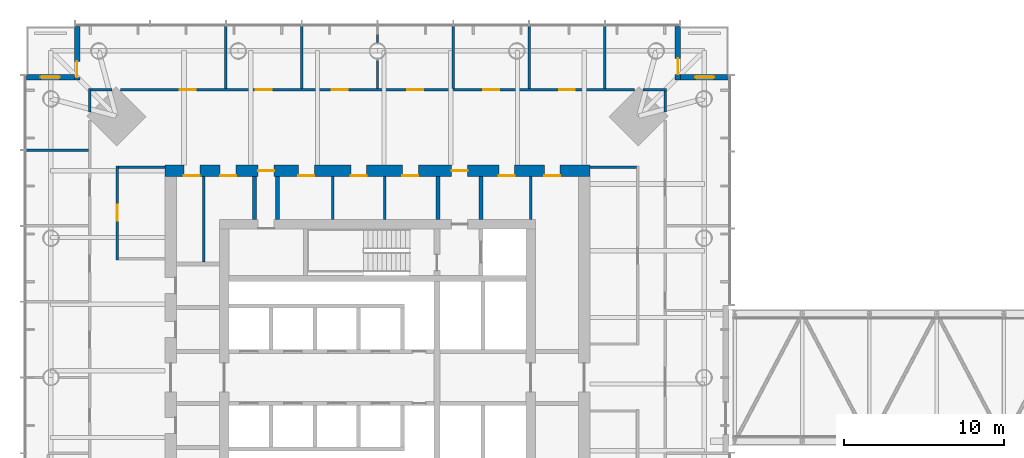
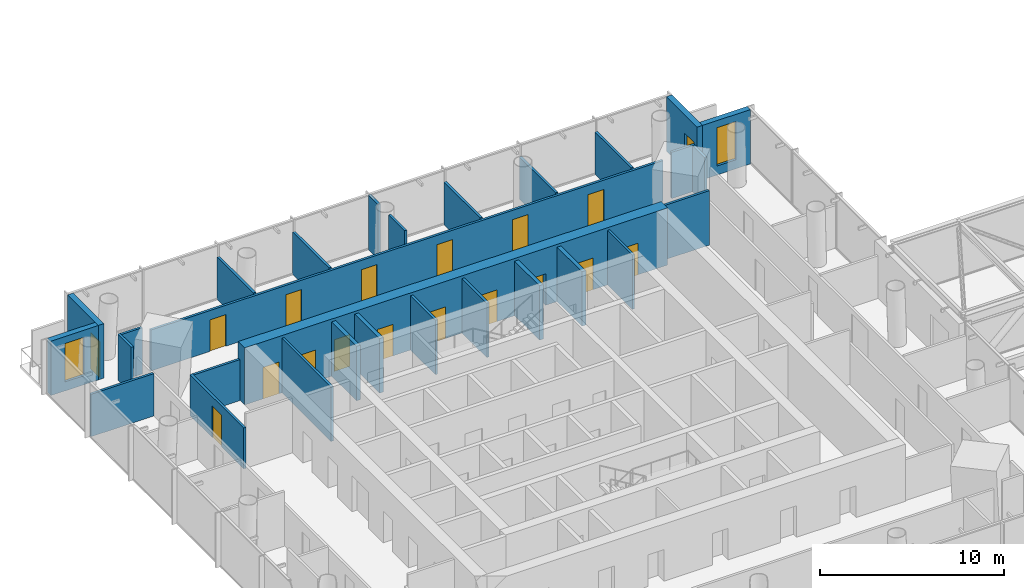
# One storey, part 15 of 19: 29 walls, 18 doors, 2 windows, 20 openings.
"""IFC4 building model written with IfcOpenShell, lengths in metres."""

from ifc_helpers import new_model, si_unit, direction, frame, frame_2d, origin, place, context, subcontext, project, spatial, rectangle, extrude, material, layer, layer_set, type_object, element, fill, save


model = new_model("IFC4")

# Units and contexts
model_context = context("Model", 3, precision=1e-05, world=origin(), true_north=direction((0.0, 1.0)))
body_context = subcontext(model_context, "Body", "Model", "MODEL_VIEW")
ifc_project = project(units=[si_unit("LENGTHUNIT", "METRE"), si_unit("AREAUNIT", "SQUARE_METRE"), si_unit("VOLUMEUNIT", "CUBIC_METRE"), si_unit("PLANEANGLEUNIT", "RADIAN"), si_unit("MASSUNIT", "GRAM", prefix="KILO")], contexts=[model_context])

# Site, building, storey
site_placement = place(None, origin())
site = spatial("IfcSite", under=ifc_project, at=site_placement, CompositionType="ELEMENT")
building_placement = place(site_placement, origin())
building = spatial("IfcBuilding", under=site, at=building_placement, Name="Ostroluk Exchange", CompositionType="ELEMENT")
storey_placement = place(building_placement, frame((0.0, 0.0, 131.199951171875)))
storey = spatial("IfcBuildingStorey", under=building, at=storey_placement, Name="L33", CompositionType="ELEMENT", Elevation=131.199951171875)

# Walls
ifc_material_1 = material(Name="Concrete blockwork", Category="masonry")
ifc_layer_1 = layer(ifc_material_1, 0.14990234375)
ifc_layer_set_1 = layer_set([ifc_layer_1], Name="Blockwork plant room wall 150")
wall_type_1 = type_object("IfcWallType", Name="Blockwork plant room wall 150", PredefinedType="SOLIDWALL", material=ifc_layer_set_1)
wall_1_placement = place(storey_placement, frame((34.118896484375, 53.25, 0.0), z_axis=(0.0, 0.0, 1.0), x_axis=(0.0, 1.0, 0.0)))
element("IfcWall", 1, at=wall_1_placement, inside=storey, type_object=wall_type_1, Name="Core room wall", PredefinedType="SOLIDWALL", context=body_context, shape_type="SweptSolid", body=[
    extrude(rectangle(XDim=5.35009765625, YDim=0.14990234375, at=frame_2d((2.675048828125, 0.0))), origin(), (0.0, 0.0, 1.0), 3.6201171875),
])
for number, where, z_axis, x_axis, name in (
    (2, (42.208740234375, 55.89990234375, 0.0), (0.0, 0.0, 1.0), (0.0, 1.0, 0.0), "Core room wall"),
    (3, (45.4443359375, 55.89990234375, 0.0), (0.0, 0.0, 1.0), (0.0, 1.0, 0.0), "Core room wall"),
    (4, (54.60009765625, 55.89990234375, 0.0), (0.0, 0.0, 1.0), (0.0, 1.0, 0.0), "Core room wall"),
):
    element("IfcWall", number, at=place(storey_placement, frame(where, z_axis=z_axis, x_axis=x_axis)), inside=storey, type_object=wall_type_1, Name=name, PredefinedType="SOLIDWALL", context=body_context, shape_type="SweptSolid", body=[
        extrude(rectangle(XDim=2.7001953125, YDim=0.14990234375, at=frame_2d((1.35009765625, 0.0))), origin(), (0.0, 0.0, 1.0), 3.6201171875),
    ])
ifc_material_2 = material(Name="Concrete blockwork", Category="masonry")
ifc_layer_2 = layer(ifc_material_2, 0.25)
ifc_layer_set_2 = layer_set([ifc_layer_2], Name="Blockwork stair enclosure wall 250")
wall_type_2 = type_object("IfcWallType", Name="Blockwork stair enclosure wall 250", PredefinedType="SOLIDWALL", material=ifc_layer_set_2)
for number, where, z_axis, x_axis, name in (
    (5, (48.804931640625, 55.89990234375, 0.0), (0.0, 0.0, 1.0), (0.0, 1.0, 0.0), "Fire lobby enclosure wall"),
    (6, (51.47509765625, 55.89990234375, 0.0), (0.0, 0.0, 1.0), (0.0, 1.0, 0.0), "Fire lobby enclosure wall"),
    (7, (37.300048828125, 55.89990234375, 0.0), (0.0, 0.0, 1.0), (0.0, 1.0, 0.0), "Core corridor wall"),
    (8, (38.75, 55.89990234375, 0.0), (0.0, 0.0, 1.0), (0.0, 1.0, 0.0), "Core corridor wall"),
):
    element("IfcWall", number, at=place(storey_placement, frame(where, z_axis=z_axis, x_axis=x_axis)), inside=storey, type_object=wall_type_2, Name=name, PredefinedType="SOLIDWALL", context=body_context, shape_type="SweptSolid", body=[
        extrude(rectangle(XDim=2.7001953125, YDim=0.25, at=frame_2d((1.35009765625, 0.0))), origin(), (0.0, 0.0, 1.0), 3.6201171875),
    ])

# Wall, openings, doors
ifc_material_3 = material(Name="Concrete C50/60", Category="concrete")
ifc_layer_3 = layer(ifc_material_3, 0.699951171875)
ifc_layer_set_3 = layer_set([ifc_layer_3], Name="Core wall 700 C50/60")
wall_type_3 = type_object("IfcWallType", Name="Core wall 700 C50/60", PredefinedType="SHEAR", material=ifc_layer_set_3)
wall_2_placement = place(storey_placement, frame((31.699951171875, 58.949951171875, 0.0), z_axis=(0.0, 0.0, 1.0), x_axis=(1.0, 0.0, 0.0)))
wall_2 = element("IfcWall", 9, at=wall_2_placement, inside=storey, type_object=wall_type_3, Name="T1 core wall RN", PredefinedType="SHEAR", context=body_context, shape_type="SweptSolid", body=[
    extrude(rectangle(XDim=26.60009765625, YDim=0.699951171875, at=frame_2d((13.300048828125, 0.0))), origin(), (0.0, 0.0, 1.0), 3.800048828125),
])
opening_1_placement = place(wall_2_placement, frame((17.93994140625, 0.0, 0.0)))
opening_1 = element("IfcOpeningElement", 10, at=opening_1_placement, cuts=wall_2, Name="Opening FD60", PredefinedType="OPENING", context=body_context, shape_type="SweptSolid", body=[
    extrude(rectangle(XDim=1.0, YDim=2.10009765625, at=frame_2d((0.5, 1.050048828125))), frame((0.0, 0.35986328125, 0.0), z_axis=(0.0, -1.0, 0.0), x_axis=(1.0, 0.0, 0.0)), (0.0, 0.0, 1.0), 0.719970703125),
])
opening_2_placement = place(wall_2_placement, frame((5.824951171875, 0.0, 0.0)))
opening_2 = element("IfcOpeningElement", 11, at=opening_2_placement, cuts=wall_2, Name="Opening FD60", PredefinedType="OPENING", context=body_context, shape_type="SweptSolid", body=[
    extrude(rectangle(XDim=1.0, YDim=2.10009765625, at=frame_2d((0.5, 1.050048828125))), frame((0.0, 0.35986328125, 0.0), z_axis=(0.0, -1.0, 0.0), x_axis=(1.0, 0.0, 0.0)), (0.0, 0.0, 1.0), 0.719970703125),
])
opening_3_placement = place(wall_2_placement, frame((1.1689453125, 0.0, 0.0)))
opening_3 = element("IfcOpeningElement", 12, at=opening_3_placement, cuts=wall_2, Name="Opening FD60", PredefinedType="OPENING", context=body_context, shape_type="SweptSolid", body=[
    extrude(rectangle(XDim=1.0, YDim=2.10009765625, at=frame_2d((0.5, 1.050048828125))), frame((0.0, 0.35986328125, 0.0), z_axis=(0.0, -1.0, 0.0), x_axis=(1.0, 0.0, 0.0)), (0.0, 0.0, 1.0), 0.719970703125),
])
opening_4_placement = place(wall_2_placement, frame((3.447021484375, 0.0, 0.0)))
opening_4 = element("IfcOpeningElement", 13, at=opening_4_placement, cuts=wall_2, Name="Opening FD60", PredefinedType="OPENING", context=body_context, shape_type="SweptSolid", body=[
    extrude(rectangle(XDim=1.0, YDim=2.10009765625, at=frame_2d((0.5, 1.050048828125))), frame((0.0, 0.35986328125, 0.0), z_axis=(0.0, -1.0, 0.0), x_axis=(1.0, 0.0, 0.0)), (0.0, 0.0, 1.0), 0.719970703125),
])
opening_5_placement = place(wall_2_placement, frame((8.341796875, 0.0, 0.0)))
opening_5 = element("IfcOpeningElement", 14, at=opening_5_placement, cuts=wall_2, Name="Opening FD60", PredefinedType="OPENING", context=body_context, shape_type="SweptSolid", body=[
    extrude(rectangle(XDim=1.0, YDim=2.10009765625, at=frame_2d((0.5, 1.050048828125))), frame((0.0, 0.35986328125, 0.0), z_axis=(0.0, -1.0, 0.0), x_axis=(1.0, 0.0, 0.0)), (0.0, 0.0, 1.0), 0.719970703125),
])
opening_6_placement = place(wall_2_placement, frame((11.62646484375, 0.0, 0.0)))
opening_6 = element("IfcOpeningElement", 15, at=opening_6_placement, cuts=wall_2, Name="Opening FD60", PredefinedType="OPENING", context=body_context, shape_type="SweptSolid", body=[
    extrude(rectangle(XDim=1.0, YDim=2.10009765625, at=frame_2d((0.5, 1.050048828125))), frame((0.0, 0.35986328125, 0.0), z_axis=(0.0, -1.0, 0.0), x_axis=(1.0, 0.0, 0.0)), (0.0, 0.0, 1.0), 0.719970703125),
])
opening_7_placement = place(wall_2_placement, frame((14.862060546875, 0.0, 0.0)))
opening_7 = element("IfcOpeningElement", 16, at=opening_7_placement, cuts=wall_2, Name="Opening FD60", PredefinedType="OPENING", context=body_context, shape_type="SweptSolid", body=[
    extrude(rectangle(XDim=1.0, YDim=2.10009765625, at=frame_2d((0.5, 1.050048828125))), frame((0.0, 0.35986328125, 0.0), z_axis=(0.0, -1.0, 0.0), x_axis=(1.0, 0.0, 0.0)), (0.0, 0.0, 1.0), 0.719970703125),
])
opening_8_placement = place(wall_2_placement, frame((20.89990234375, 0.0, 0.0)))
opening_8 = element("IfcOpeningElement", 17, at=opening_8_placement, cuts=wall_2, Name="Opening FD60", PredefinedType="OPENING", context=body_context, shape_type="SweptSolid", body=[
    extrude(rectangle(XDim=1.0, YDim=2.10009765625, at=frame_2d((0.5, 1.050048828125))), frame((0.0, 0.35986328125, 0.0), z_axis=(0.0, -1.0, 0.0), x_axis=(1.0, 0.0, 0.0)), (0.0, 0.0, 1.0), 0.719970703125),
])
opening_9_placement = place(wall_2_placement, frame((23.75, 0.0, 0.0)))
opening_9 = element("IfcOpeningElement", 18, at=opening_9_placement, cuts=wall_2, Name="Opening FD60", PredefinedType="OPENING", context=body_context, shape_type="SweptSolid", body=[
    extrude(rectangle(XDim=1.0, YDim=2.10009765625, at=frame_2d((0.5, 1.050048828125))), frame((0.0, 0.35986328125, 0.0), z_axis=(0.0, -1.0, 0.0), x_axis=(1.0, 0.0, 0.0)), (0.0, 0.0, 1.0), 0.719970703125),
])
ifc_material_4 = material(Name="Steel", Category="steel")
door_type_1 = type_object("IfcDoorType", Name="Fire door EI 60 1000 x 2100", OperationType="SINGLE_SWING_LEFT", PredefinedType="DOOR", material=ifc_material_4)
door_1_placement = place(opening_1_placement, origin())
door_1 = element("IfcDoor", 19, at=door_1_placement, inside=storey, type_object=door_type_1, Name="Firefighting lobby door", OperationType="SINGLE_SWING_RIGHT", OverallHeight=2.10009765625, OverallWidth=1.0, PredefinedType="DOOR", context=body_context, shape_type="SweptSolid", body=[
    extrude(rectangle(XDim=1.0, YDim=2.10009765625, at=frame_2d((0.5, 1.050048828125))), frame((0.0, 0.02490234375, 0.0), z_axis=(0.0, -1.0, 0.0), x_axis=(1.0, 0.0, 0.0)), (0.0, 0.0, 1.0), 0.050048828125),
])
fill(opening_1, door_1)
door_2_placement = place(opening_2_placement, origin())
door_2 = element("IfcDoor", 20, at=door_2_placement, inside=storey, type_object=door_type_1, Name="Core corridor door", OperationType="SINGLE_SWING_LEFT", OverallHeight=2.10009765625, OverallWidth=1.0, PredefinedType="DOOR", context=body_context, shape_type="SweptSolid", body=[
    extrude(rectangle(XDim=1.0, YDim=2.10009765625, at=frame_2d((0.5, 1.050048828125))), frame((0.0, 0.02490234375, 0.0), z_axis=(0.0, -1.0, 0.0), x_axis=(1.0, 0.0, 0.0)), (0.0, 0.0, 1.0), 0.050048828125),
])
fill(opening_2, door_2)
door_3_placement = place(opening_3_placement, origin())
door_3 = element("IfcDoor", 21, at=door_3_placement, inside=storey, type_object=door_type_1, Name="Tenant IT room door", OperationType="SINGLE_SWING_LEFT", OverallHeight=2.10009765625, OverallWidth=1.0, PredefinedType="DOOR", context=body_context, shape_type="SweptSolid", body=[
    extrude(rectangle(XDim=1.0, YDim=2.10009765625, at=frame_2d((0.5, 1.050048828125))), frame((0.0, -0.2900390625, 0.0), z_axis=(0.0, -1.0, 0.0), x_axis=(1.0, 0.0, 0.0)), (0.0, 0.0, 1.0), 0.050048828125),
])
fill(opening_3, door_3)
door_4_placement = place(opening_4_placement, origin())
door_4 = element("IfcDoor", 22, at=door_4_placement, inside=storey, type_object=door_type_1, Name="First aid room door", OperationType="SINGLE_SWING_LEFT", OverallHeight=2.10009765625, OverallWidth=1.0, PredefinedType="DOOR", context=body_context, shape_type="SweptSolid", body=[
    extrude(rectangle(XDim=1.0, YDim=2.10009765625, at=frame_2d((0.5, 1.050048828125))), frame((0.0, -0.2900390625, 0.0), z_axis=(0.0, -1.0, 0.0), x_axis=(1.0, 0.0, 0.0)), (0.0, 0.0, 1.0), 0.050048828125),
])
fill(opening_4, door_4)
door_5_placement = place(opening_5_placement, origin())
door_5 = element("IfcDoor", 23, at=door_5_placement, inside=storey, type_object=door_type_1, Name="Print and post room door", OperationType="SINGLE_SWING_LEFT", OverallHeight=2.10009765625, OverallWidth=1.0, PredefinedType="DOOR", context=body_context, shape_type="SweptSolid", body=[
    extrude(rectangle(XDim=1.0, YDim=2.10009765625, at=frame_2d((0.5, 1.050048828125))), frame((0.0, -0.2900390625, 0.0), z_axis=(0.0, -1.0, 0.0), x_axis=(1.0, 0.0, 0.0)), (0.0, 0.0, 1.0), 0.050048828125),
])
fill(opening_5, door_5)
door_6_placement = place(opening_6_placement, origin())
door_6 = element("IfcDoor", 24, at=door_6_placement, inside=storey, type_object=door_type_1, Name="Archive door", OperationType="SINGLE_SWING_LEFT", OverallHeight=2.10009765625, OverallWidth=1.0, PredefinedType="DOOR", context=body_context, shape_type="SweptSolid", body=[
    extrude(rectangle(XDim=1.0, YDim=2.10009765625, at=frame_2d((0.5, 1.050048828125))), frame((0.0, -0.2900390625, 0.0), z_axis=(0.0, -1.0, 0.0), x_axis=(1.0, 0.0, 0.0)), (0.0, 0.0, 1.0), 0.050048828125),
])
fill(opening_6, door_6)
door_7_placement = place(opening_7_placement, origin())
door_7 = element("IfcDoor", 25, at=door_7_placement, inside=storey, type_object=door_type_1, Name="Tenant IT room door", OperationType="SINGLE_SWING_RIGHT", OverallHeight=2.10009765625, OverallWidth=1.0, PredefinedType="DOOR", context=body_context, shape_type="SweptSolid", body=[
    extrude(rectangle(XDim=1.0, YDim=2.10009765625, at=frame_2d((0.5, 1.050048828125))), frame((0.0, -0.2900390625, 0.0), z_axis=(0.0, -1.0, 0.0), x_axis=(1.0, 0.0, 0.0)), (0.0, 0.0, 1.0), 0.050048828125),
])
fill(opening_7, door_7)
door_8_placement = place(opening_8_placement, origin())
door_8 = element("IfcDoor", 26, at=door_8_placement, inside=storey, type_object=door_type_1, Name="First aid room door", OperationType="SINGLE_SWING_RIGHT", OverallHeight=2.10009765625, OverallWidth=1.0, PredefinedType="DOOR", context=body_context, shape_type="SweptSolid", body=[
    extrude(rectangle(XDim=1.0, YDim=2.10009765625, at=frame_2d((0.5, 1.050048828125))), frame((0.0, -0.2900390625, 0.0), z_axis=(0.0, -1.0, 0.0), x_axis=(1.0, 0.0, 0.0)), (0.0, 0.0, 1.0), 0.050048828125),
])
fill(opening_8, door_8)
door_9_placement = place(opening_9_placement, origin())
door_9 = element("IfcDoor", 27, at=door_9_placement, inside=storey, type_object=door_type_1, Name="Tea point door", OperationType="SINGLE_SWING_RIGHT", OverallHeight=2.10009765625, OverallWidth=1.0, PredefinedType="DOOR", context=body_context, shape_type="SweptSolid", body=[
    extrude(rectangle(XDim=1.0, YDim=2.10009765625, at=frame_2d((0.5, 1.050048828125))), frame((0.0, -0.2900390625, 0.0), z_axis=(0.0, -1.0, 0.0), x_axis=(1.0, 0.0, 0.0)), (0.0, 0.0, 1.0), 0.050048828125),
])
fill(opening_9, door_9)

# Wall, opening, door
ifc_material_5 = material(Name="Limestone", Category="masonry")
ifc_layer_4 = layer(ifc_material_5, 0.35009765625)
ifc_layer_set_4 = layer_set([ifc_layer_4], Name="Limestone facade wall 350")
wall_type_4 = type_object("IfcWallType", Name="Limestone facade wall 350", PredefinedType="SOLIDWALL", material=ifc_layer_set_4)
wall_3_placement = place(storey_placement, frame((63.824951171875, 68.0, 0.0), z_axis=(0.0, 0.0, 1.0), x_axis=(0.0, -1.0, 0.0)))
wall_3 = element("IfcWall", 28, at=wall_3_placement, inside=storey, type_object=wall_type_4, Name="Office tower NE corner wall L33 a", PredefinedType="SOLIDWALL", context=body_context, shape_type="SweptSolid", body=[
    extrude(rectangle(XDim=3.35009765625, YDim=0.35009765625, at=frame_2d((1.675048828125, 0.0))), origin(), (0.0, 0.0, 1.0), 3.6201171875),
])
opening_10_placement = place(wall_3_placement, frame((2.0, 0.0, 0.0)))
opening_10 = element("IfcOpeningElement", 29, at=opening_10_placement, cuts=wall_3, Name="Opening D-B1", PredefinedType="OPENING", context=body_context, shape_type="SweptSolid", body=[
    extrude(rectangle(XDim=1.0, YDim=2.39990234375, at=frame_2d((0.5, 1.199951171875))), frame((0.0, 0.18505859375, 0.0), z_axis=(0.0, -1.0, 0.0), x_axis=(1.0, 0.0, 0.0)), (0.0, 0.0, 1.0), 0.3701171875),
])
ifc_material_6 = material(Name="Bronze framed glazed door", Category="aluminium")
door_type_2 = type_object("IfcDoorType", Name="Balcony door 1000 x 2400", OperationType="SINGLE_SWING_LEFT", PredefinedType="DOOR", material=ifc_material_6)
door_10_placement = place(opening_10_placement, origin())
door_10 = element("IfcDoor", 30, at=door_10_placement, inside=storey, type_object=door_type_2, Name="Office tower NE balcony door L33", OperationType="SINGLE_SWING_RIGHT", OverallHeight=2.39990234375, OverallWidth=1.0, PredefinedType="DOOR", context=body_context, shape_type="SweptSolid", body=[
    extrude(rectangle(XDim=1.0, YDim=2.39990234375, at=frame_2d((0.5, 1.199951171875))), frame((0.0, 0.02490234375, 0.0), z_axis=(0.0, -1.0, 0.0), x_axis=(1.0, 0.0, 0.0)), (0.0, 0.0, 1.0), 0.050048828125),
])
fill(opening_10, door_10)

# Wall, opening, window
wall_4_placement = place(storey_placement, frame((64.0, 64.824951171875, 0.0), z_axis=(0.0, 0.0, 1.0), x_axis=(1.0, 0.0, 0.0)))
wall_4 = element("IfcWall", 31, at=wall_4_placement, inside=storey, type_object=wall_type_4, Name="Office tower NE corner wall L33 b", PredefinedType="SOLIDWALL", context=body_context, shape_type="SweptSolid", body=[
    extrude(rectangle(XDim=3.0, YDim=0.35009765625, at=frame_2d((1.5, 0.0))), origin(), (0.0, 0.0, 1.0), 3.6201171875),
])
opening_11_placement = place(wall_4_placement, frame((0.89990234375, 0.0, 0.60009765625)))
opening_11 = element("IfcOpeningElement", 32, at=opening_11_placement, cuts=wall_4, Name="Opening WN-L1", PredefinedType="OPENING", context=body_context, shape_type="SweptSolid", body=[
    extrude(rectangle(XDim=1.199951171875, YDim=2.550048828125, at=frame_2d((0.60009765625, 1.27490234375))), frame((0.0, 0.18505859375, 0.0), z_axis=(0.0, -1.0, 0.0), x_axis=(1.0, 0.0, 0.0)), (0.0, 0.0, 1.0), 0.3701171875),
])
ifc_material_7 = material(Name="Laminated clear glass", Category="glass")
window_type = type_object("IfcWindowType", Name="Lancet window 1200 x 2550", PartitioningType="SINGLE_PANEL", PredefinedType="WINDOW", material=ifc_material_7)
window_1_placement = place(opening_11_placement, origin())
window_1 = element("IfcWindow", 33, at=window_1_placement, inside=storey, type_object=window_type, Name="Office tower NE lancet window L33", OverallHeight=2.550048828125, OverallWidth=1.199951171875, PartitioningType="SINGLE_PANEL", PredefinedType="WINDOW", context=body_context, shape_type="SweptSolid", body=[
    extrude(rectangle(XDim=1.199951171875, YDim=2.550048828125, at=frame_2d((0.60009765625, 1.27490234375))), frame((0.0, 0.030029296875, 0.0), z_axis=(0.0, -1.0, 0.0), x_axis=(1.0, 0.0, 0.0)), (0.0, 0.0, 1.0), 0.06005859375),
])
fill(opening_11, window_1)

# Wall, opening, door
wall_5_placement = place(storey_placement, frame((26.175048828125, 68.0, 0.0), z_axis=(0.0, 0.0, 1.0), x_axis=(0.0, -1.0, 0.0)))
wall_5 = element("IfcWall", 34, at=wall_5_placement, inside=storey, type_object=wall_type_4, Name="Office tower NW corner wall L33 a", PredefinedType="SOLIDWALL", context=body_context, shape_type="SweptSolid", body=[
    extrude(rectangle(XDim=3.35009765625, YDim=0.35009765625, at=frame_2d((1.675048828125, 0.0))), origin(), (0.0, 0.0, 1.0), 3.6201171875),
])
opening_12_placement = place(wall_5_placement, frame((2.199951171875, 0.0, 0.0)))
opening_12 = element("IfcOpeningElement", 35, at=opening_12_placement, cuts=wall_5, Name="Opening D-B1", PredefinedType="OPENING", context=body_context, shape_type="SweptSolid", body=[
    extrude(rectangle(XDim=1.0, YDim=2.39990234375, at=frame_2d((0.5, 1.199951171875))), frame((0.0, 0.18505859375, 0.0), z_axis=(0.0, -1.0, 0.0), x_axis=(1.0, 0.0, 0.0)), (0.0, 0.0, 1.0), 0.3701171875),
])
door_11_placement = place(opening_12_placement, origin())
door_11 = element("IfcDoor", 36, at=door_11_placement, inside=storey, type_object=door_type_2, Name="Office tower NW balcony door L33", OperationType="SINGLE_SWING_RIGHT", OverallHeight=2.39990234375, OverallWidth=1.0, PredefinedType="DOOR", context=body_context, shape_type="SweptSolid", body=[
    extrude(rectangle(XDim=1.0, YDim=2.39990234375, at=frame_2d((0.5, 1.199951171875))), frame((0.0, 0.02490234375, 0.0), z_axis=(0.0, -1.0, 0.0), x_axis=(1.0, 0.0, 0.0)), (0.0, 0.0, 1.0), 0.050048828125),
])
fill(opening_12, door_11)

# Wall, opening, window
wall_6_placement = place(storey_placement, frame((26.0, 64.824951171875, 0.0), z_axis=(0.0, 0.0, 1.0), x_axis=(-1.0, 0.0, 0.0)))
wall_6 = element("IfcWall", 37, at=wall_6_placement, inside=storey, type_object=wall_type_4, Name="Office tower NW corner wall L33 b", PredefinedType="SOLIDWALL", context=body_context, shape_type="SweptSolid", body=[
    extrude(rectangle(XDim=3.0, YDim=0.35009765625, at=frame_2d((1.5, 0.0))), origin(), (0.0, 0.0, 1.0), 3.6201171875),
])
opening_13_placement = place(wall_6_placement, frame((0.89990234375, 0.0, 0.60009765625)))
opening_13 = element("IfcOpeningElement", 38, at=opening_13_placement, cuts=wall_6, Name="Opening WN-L1", PredefinedType="OPENING", context=body_context, shape_type="SweptSolid", body=[
    extrude(rectangle(XDim=1.199951171875, YDim=2.550048828125, at=frame_2d((0.60009765625, 1.27490234375))), frame((0.0, 0.18505859375, 0.0), z_axis=(0.0, -1.0, 0.0), x_axis=(1.0, 0.0, 0.0)), (0.0, 0.0, 1.0), 0.3701171875),
])
window_2_placement = place(opening_13_placement, origin())
window_2 = element("IfcWindow", 39, at=window_2_placement, inside=storey, type_object=window_type, Name="Office tower NW lancet window L33", OverallHeight=2.550048828125, OverallWidth=1.199951171875, PartitioningType="SINGLE_PANEL", PredefinedType="WINDOW", context=body_context, shape_type="SweptSolid", body=[
    extrude(rectangle(XDim=1.199951171875, YDim=2.550048828125, at=frame_2d((0.60009765625, 1.27490234375))), frame((0.0, 0.030029296875, 0.0), z_axis=(0.0, -1.0, 0.0), x_axis=(1.0, 0.0, 0.0)), (0.0, 0.0, 1.0), 0.06005859375),
])
fill(opening_13, window_2)

# Wall
ifc_material_8 = material(Name="Gypsum plasterboard partition", Category="gypsum")
ifc_layer_5 = layer(ifc_material_8, 0.14990234375)
ifc_layer_set_5 = layer_set([ifc_layer_5], Name="Plasterboard partition 150")
wall_type_5 = type_object("IfcWallType", Name="Plasterboard partition 150", PredefinedType="PARTITIONING", material=ifc_layer_set_5)
wall_7_placement = place(storey_placement, frame((58.300048828125, 59.175048828125, 0.0), z_axis=(0.0, 0.0, 1.0), x_axis=(1.0, 0.0, 0.0)))
element("IfcWall", 40, at=wall_7_placement, inside=storey, type_object=wall_type_5, Name="Partition", PredefinedType="PARTITIONING", context=body_context, shape_type="SweptSolid", body=[
    extrude(rectangle(XDim=2.925048828125, YDim=0.14990234375, at=frame_2d((1.46240234375, 0.0))), origin(), (0.0, 0.0, 1.0), 3.6201171875),
])

# Wall, opening, door
wall_8_placement = place(storey_placement, frame((28.699951171875, 59.25, 0.0), z_axis=(0.0, 0.0, 1.0), x_axis=(0.0, -1.0, 0.0)))
wall_8 = element("IfcWall", 41, at=wall_8_placement, inside=storey, type_object=wall_type_5, Name="Partition", PredefinedType="PARTITIONING", context=body_context, shape_type="SweptSolid", body=[
    extrude(rectangle(XDim=5.875, YDim=0.14990234375, at=frame_2d((2.9375, 0.0))), origin(), (0.0, 0.0, 1.0), 2.719970703125),
])
opening_14_placement = place(wall_8_placement, frame((2.4375, 0.0, 0.0)))
opening_14 = element("IfcOpeningElement", 42, at=opening_14_placement, cuts=wall_8, Name="Opening D-03", PredefinedType="OPENING", context=body_context, shape_type="SweptSolid", body=[
    extrude(rectangle(XDim=1.0, YDim=2.10009765625, at=frame_2d((0.5, 1.050048828125))), frame((0.0, 0.0849609375, 0.0), z_axis=(0.0, -1.0, 0.0), x_axis=(1.0, 0.0, 0.0)), (0.0, 0.0, 1.0), 0.169921875),
])
ifc_material_9 = material(Name="Timber", Category="wood")
door_type_3 = type_object("IfcDoorType", Name="Internal door 1000 x 2100", OperationType="SINGLE_SWING_LEFT", PredefinedType="DOOR", material=ifc_material_9)
door_12_placement = place(opening_14_placement, origin())
door_12 = element("IfcDoor", 43, at=door_12_placement, inside=storey, type_object=door_type_3, Name="Project room door", OperationType="SINGLE_SWING_LEFT", OverallHeight=2.10009765625, OverallWidth=1.0, PredefinedType="DOOR", context=body_context, shape_type="SweptSolid", body=[
    extrude(rectangle(XDim=1.0, YDim=2.10009765625, at=frame_2d((0.5, 1.050048828125))), frame((0.0, 0.02490234375, 0.0), z_axis=(0.0, -1.0, 0.0), x_axis=(1.0, 0.0, 0.0)), (0.0, 0.0, 1.0), 0.050048828125),
])
fill(opening_14, door_12)

# Walls
wall_9_placement = place(storey_placement, frame((31.699951171875, 59.175048828125, 0.0), z_axis=(0.0, 0.0, 1.0), x_axis=(-1.0, 0.0, 0.0)))
element("IfcWall", 44, at=wall_9_placement, inside=storey, type_object=wall_type_5, Name="Partition", PredefinedType="PARTITIONING", context=body_context, shape_type="SweptSolid", body=[
    extrude(rectangle(XDim=2.925048828125, YDim=0.14990234375, at=frame_2d((1.46240234375, 0.0))), origin(), (0.0, 0.0, 1.0), 2.719970703125),
])
wall_10_placement = place(storey_placement, frame((63.02490234375, 62.6455078125, 0.0), z_axis=(0.0, 0.0, 1.0), x_axis=(0.0, 1.0, 0.0)))
element("IfcWall", 45, at=wall_10_placement, inside=storey, type_object=wall_type_5, Name="Partition", PredefinedType="PARTITIONING", context=body_context, shape_type="SweptSolid", body=[
    extrude(rectangle(XDim=1.304443359375, YDim=0.14990234375, at=frame_2d((0.65234375, 0.0))), origin(), (0.0, 0.0, 1.0), 3.070068359375),
])
wall_11_placement = place(storey_placement, frame((63.10009765625, 64.02490234375, 0.0), z_axis=(0.0, 0.0, 1.0), x_axis=(-1.0, 0.0, 0.0)))
element("IfcWall", 46, at=wall_11_placement, inside=storey, type_object=wall_type_5, Name="Partition", PredefinedType="PARTITIONING", context=body_context, shape_type="SweptSolid", body=[
    extrude(rectangle(XDim=1.45458984375, YDim=0.14990234375, at=frame_2d((0.727294921875, 0.0))), origin(), (0.0, 0.0, 1.0), 3.070068359375),
])

# Wall, openings, doors
wall_12_placement = place(storey_placement, frame((61.111572265625, 64.02490234375, 0.0), z_axis=(0.0, 0.0, 1.0), x_axis=(-1.0, 0.0, 0.0)))
wall_12 = element("IfcWall", 47, at=wall_12_placement, inside=storey, type_object=wall_type_5, Name="Partition", PredefinedType="PARTITIONING", context=body_context, shape_type="SweptSolid", body=[
    extrude(rectangle(XDim=32.22314453125, YDim=0.14990234375, at=frame_2d((16.111572265625, 0.0))), origin(), (0.0, 0.0, 1.0), 2.719970703125),
])
opening_15_placement = place(wall_12_placement, frame((3.736572265625, 0.0, 0.0)))
opening_15 = element("IfcOpeningElement", 48, at=opening_15_placement, cuts=wall_12, Name="Opening D-03", PredefinedType="OPENING", context=body_context, shape_type="SweptSolid", body=[
    extrude(rectangle(XDim=1.0, YDim=2.10009765625, at=frame_2d((0.5, 1.050048828125))), frame((0.0, 0.0849609375, 0.0), z_axis=(0.0, -1.0, 0.0), x_axis=(1.0, 0.0, 0.0)), (0.0, 0.0, 1.0), 0.169921875),
])
opening_16_placement = place(wall_12_placement, frame((8.486572265625, 0.0, 0.0)))
opening_16 = element("IfcOpeningElement", 49, at=opening_16_placement, cuts=wall_12, Name="Opening D-03", PredefinedType="OPENING", context=body_context, shape_type="SweptSolid", body=[
    extrude(rectangle(XDim=1.0, YDim=2.10009765625, at=frame_2d((0.5, 1.050048828125))), frame((0.0, 0.0849609375, 0.0), z_axis=(0.0, -1.0, 0.0), x_axis=(1.0, 0.0, 0.0)), (0.0, 0.0, 1.0), 0.169921875),
])
opening_17_placement = place(wall_12_placement, frame((13.236572265625, 0.0, 0.0)))
opening_17 = element("IfcOpeningElement", 50, at=opening_17_placement, cuts=wall_12, Name="Opening D-03", PredefinedType="OPENING", context=body_context, shape_type="SweptSolid", body=[
    extrude(rectangle(XDim=1.0, YDim=2.10009765625, at=frame_2d((0.5, 1.050048828125))), frame((0.0, 0.0849609375, 0.0), z_axis=(0.0, -1.0, 0.0), x_axis=(1.0, 0.0, 0.0)), (0.0, 0.0, 1.0), 0.169921875),
])
opening_18_placement = place(wall_12_placement, frame((17.986572265625, 0.0, 0.0)))
opening_18 = element("IfcOpeningElement", 51, at=opening_18_placement, cuts=wall_12, Name="Opening D-03", PredefinedType="OPENING", context=body_context, shape_type="SweptSolid", body=[
    extrude(rectangle(XDim=1.0, YDim=2.10009765625, at=frame_2d((0.5, 1.050048828125))), frame((0.0, 0.0849609375, 0.0), z_axis=(0.0, -1.0, 0.0), x_axis=(1.0, 0.0, 0.0)), (0.0, 0.0, 1.0), 0.169921875),
])
opening_19_placement = place(wall_12_placement, frame((22.736572265625, 0.0, 0.0)))
opening_19 = element("IfcOpeningElement", 52, at=opening_19_placement, cuts=wall_12, Name="Opening D-03", PredefinedType="OPENING", context=body_context, shape_type="SweptSolid", body=[
    extrude(rectangle(XDim=1.0, YDim=2.10009765625, at=frame_2d((0.5, 1.050048828125))), frame((0.0, 0.0849609375, 0.0), z_axis=(0.0, -1.0, 0.0), x_axis=(1.0, 0.0, 0.0)), (0.0, 0.0, 1.0), 0.169921875),
])
opening_20_placement = place(wall_12_placement, frame((27.486572265625, 0.0, 0.0)))
opening_20 = element("IfcOpeningElement", 53, at=opening_20_placement, cuts=wall_12, Name="Opening D-03", PredefinedType="OPENING", context=body_context, shape_type="SweptSolid", body=[
    extrude(rectangle(XDim=1.0, YDim=2.10009765625, at=frame_2d((0.5, 1.050048828125))), frame((0.0, 0.0849609375, 0.0), z_axis=(0.0, -1.0, 0.0), x_axis=(1.0, 0.0, 0.0)), (0.0, 0.0, 1.0), 0.169921875),
])
door_13_placement = place(opening_15_placement, origin())
door_13 = element("IfcDoor", 54, at=door_13_placement, inside=storey, type_object=door_type_3, Name="Office door", OperationType="SINGLE_SWING_LEFT", OverallHeight=2.10009765625, OverallWidth=1.0, PredefinedType="DOOR", context=body_context, shape_type="SweptSolid", body=[
    extrude(rectangle(XDim=1.0, YDim=2.10009765625, at=frame_2d((0.5, 1.050048828125))), frame((0.0, 0.02490234375, 0.0), z_axis=(0.0, -1.0, 0.0), x_axis=(1.0, 0.0, 0.0)), (0.0, 0.0, 1.0), 0.050048828125),
])
fill(opening_15, door_13)
door_14_placement = place(opening_16_placement, origin())
door_14 = element("IfcDoor", 55, at=door_14_placement, inside=storey, type_object=door_type_3, Name="Office door", OperationType="SINGLE_SWING_LEFT", OverallHeight=2.10009765625, OverallWidth=1.0, PredefinedType="DOOR", context=body_context, shape_type="SweptSolid", body=[
    extrude(rectangle(XDim=1.0, YDim=2.10009765625, at=frame_2d((0.5, 1.050048828125))), frame((0.0, 0.02490234375, 0.0), z_axis=(0.0, -1.0, 0.0), x_axis=(1.0, 0.0, 0.0)), (0.0, 0.0, 1.0), 0.050048828125),
])
fill(opening_16, door_14)
door_15_placement = place(opening_17_placement, origin())
door_15 = element("IfcDoor", 56, at=door_15_placement, inside=storey, type_object=door_type_3, Name="Office door", OperationType="SINGLE_SWING_LEFT", OverallHeight=2.10009765625, OverallWidth=1.0, PredefinedType="DOOR", context=body_context, shape_type="SweptSolid", body=[
    extrude(rectangle(XDim=1.0, YDim=2.10009765625, at=frame_2d((0.5, 1.050048828125))), frame((0.0, 0.02490234375, 0.0), z_axis=(0.0, -1.0, 0.0), x_axis=(1.0, 0.0, 0.0)), (0.0, 0.0, 1.0), 0.050048828125),
])
fill(opening_17, door_15)
door_16_placement = place(opening_18_placement, origin())
door_16 = element("IfcDoor", 57, at=door_16_placement, inside=storey, type_object=door_type_3, Name="Office door", OperationType="SINGLE_SWING_RIGHT", OverallHeight=2.10009765625, OverallWidth=1.0, PredefinedType="DOOR", context=body_context, shape_type="SweptSolid", body=[
    extrude(rectangle(XDim=1.0, YDim=2.10009765625, at=frame_2d((0.5, 1.050048828125))), frame((0.0, 0.02490234375, 0.0), z_axis=(0.0, -1.0, 0.0), x_axis=(1.0, 0.0, 0.0)), (0.0, 0.0, 1.0), 0.050048828125),
])
fill(opening_18, door_16)
door_17_placement = place(opening_19_placement, origin())
door_17 = element("IfcDoor", 58, at=door_17_placement, inside=storey, type_object=door_type_3, Name="Office door", OperationType="SINGLE_SWING_RIGHT", OverallHeight=2.10009765625, OverallWidth=1.0, PredefinedType="DOOR", context=body_context, shape_type="SweptSolid", body=[
    extrude(rectangle(XDim=1.0, YDim=2.10009765625, at=frame_2d((0.5, 1.050048828125))), frame((0.0, 0.02490234375, 0.0), z_axis=(0.0, -1.0, 0.0), x_axis=(1.0, 0.0, 0.0)), (0.0, 0.0, 1.0), 0.050048828125),
])
fill(opening_19, door_17)
door_18_placement = place(opening_20_placement, origin())
door_18 = element("IfcDoor", 59, at=door_18_placement, inside=storey, type_object=door_type_3, Name="Office door", OperationType="SINGLE_SWING_RIGHT", OverallHeight=2.10009765625, OverallWidth=1.0, PredefinedType="DOOR", context=body_context, shape_type="SweptSolid", body=[
    extrude(rectangle(XDim=1.0, YDim=2.10009765625, at=frame_2d((0.5, 1.050048828125))), frame((0.0, 0.02490234375, 0.0), z_axis=(0.0, -1.0, 0.0), x_axis=(1.0, 0.0, 0.0)), (0.0, 0.0, 1.0), 0.050048828125),
])
fill(opening_20, door_18)

# Walls
wall_13_placement = place(storey_placement, frame((28.3544921875, 64.02490234375, 0.0), z_axis=(0.0, 0.0, 1.0), x_axis=(-1.0, 0.0, 0.0)))
element("IfcWall", 60, at=wall_13_placement, inside=storey, type_object=wall_type_5, Name="Partition", PredefinedType="PARTITIONING", context=body_context, shape_type="SweptSolid", body=[
    extrude(rectangle(XDim=1.304443359375, YDim=0.14990234375, at=frame_2d((0.65234375, 0.0))), origin(), (0.0, 0.0, 1.0), 3.070068359375),
])
for number, where, z_axis, x_axis, name in (
    (61, (59.25, 64.10009765625, 0.0), (0.0, 0.0, 1.0), (0.0, 1.0, 0.0), "Partition"),
    (62, (54.5, 64.10009765625, 0.0), (0.0, 0.0, 1.0), (0.0, 1.0, 0.0), "Partition"),
    (63, (49.75, 64.10009765625, 0.0), (0.0, 0.0, 1.0), (0.0, 1.0, 0.0), "Partition"),
):
    element("IfcWall", number, at=place(storey_placement, frame(where, z_axis=z_axis, x_axis=x_axis)), inside=storey, type_object=wall_type_5, Name=name, PredefinedType="PARTITIONING", context=body_context, shape_type="SweptSolid", body=[
        extrude(rectangle(XDim=3.93994140625, YDim=0.14990234375, at=frame_2d((1.969970703125, 0.0))), origin(), (0.0, 0.0, 1.0), 2.820068359375),
    ])
wall_14_placement = place(storey_placement, frame((45.0, 64.10009765625, 0.0), z_axis=(0.0, 0.0, 1.0), x_axis=(0.0, 1.0, 0.0)))
element("IfcWall", 64, at=wall_14_placement, inside=storey, type_object=wall_type_5, Name="Partition", PredefinedType="PARTITIONING", context=body_context, shape_type="SweptSolid", body=[
    extrude(rectangle(XDim=1.7490234375, YDim=0.14990234375, at=frame_2d((0.87451171875, 0.0))), origin(), (0.0, 0.0, 1.0), 3.6201171875),
])
wall_15_placement = place(storey_placement, frame((45.0, 66.986572265625, 0.0), z_axis=(0.0, 0.0, 1.0), x_axis=(0.0, 1.0, 0.0)))
element("IfcWall", 65, at=wall_15_placement, inside=storey, type_object=wall_type_5, Name="Partition", PredefinedType="PARTITIONING", context=body_context, shape_type="SweptSolid", body=[
    extrude(rectangle(XDim=1.053466796875, YDim=0.14990234375, at=frame_2d((0.52685546875, 0.0))), origin(), (0.0, 0.0, 1.0), 3.6201171875),
])
for number, where, z_axis, x_axis, name in (
    (66, (40.25, 64.10009765625, 0.0), (0.0, 0.0, 1.0), (0.0, 1.0, 0.0), "Partition"),
    (67, (35.5, 64.10009765625, 0.0), (0.0, 0.0, 1.0), (0.0, 1.0, 0.0), "Partition"),
):
    element("IfcWall", number, at=place(storey_placement, frame(where, z_axis=z_axis, x_axis=x_axis)), inside=storey, type_object=wall_type_5, Name=name, PredefinedType="PARTITIONING", context=body_context, shape_type="SweptSolid", body=[
        extrude(rectangle(XDim=3.93994140625, YDim=0.14990234375, at=frame_2d((1.969970703125, 0.0))), origin(), (0.0, 0.0, 1.0), 2.820068359375),
    ])
wall_16_placement = place(storey_placement, frame((26.97509765625, 64.10009765625, 0.0), z_axis=(0.0, 0.0, 1.0), x_axis=(0.0, -1.0, 0.0)))
element("IfcWall", 68, at=wall_16_placement, inside=storey, type_object=wall_type_5, Name="Partition", PredefinedType="PARTITIONING", context=body_context, shape_type="SweptSolid", body=[
    extrude(rectangle(XDim=1.45458984375, YDim=0.14990234375, at=frame_2d((0.727294921875, 0.0))), origin(), (0.0, 0.0, 1.0), 3.070068359375),
])
wall_17_placement = place(storey_placement, frame((26.89990234375, 60.25, 0.0), z_axis=(0.0, 0.0, 1.0), x_axis=(-1.0, 0.0, 0.0)))
element("IfcWall", 69, at=wall_17_placement, inside=storey, type_object=wall_type_5, Name="Partition", PredefinedType="PARTITIONING", context=body_context, shape_type="SweptSolid", body=[
    extrude(rectangle(XDim=3.93994140625, YDim=0.14990234375, at=frame_2d((1.969970703125, 0.0))), origin(), (0.0, 0.0, 1.0), 2.820068359375),
])

save(model, "model.ifc")
